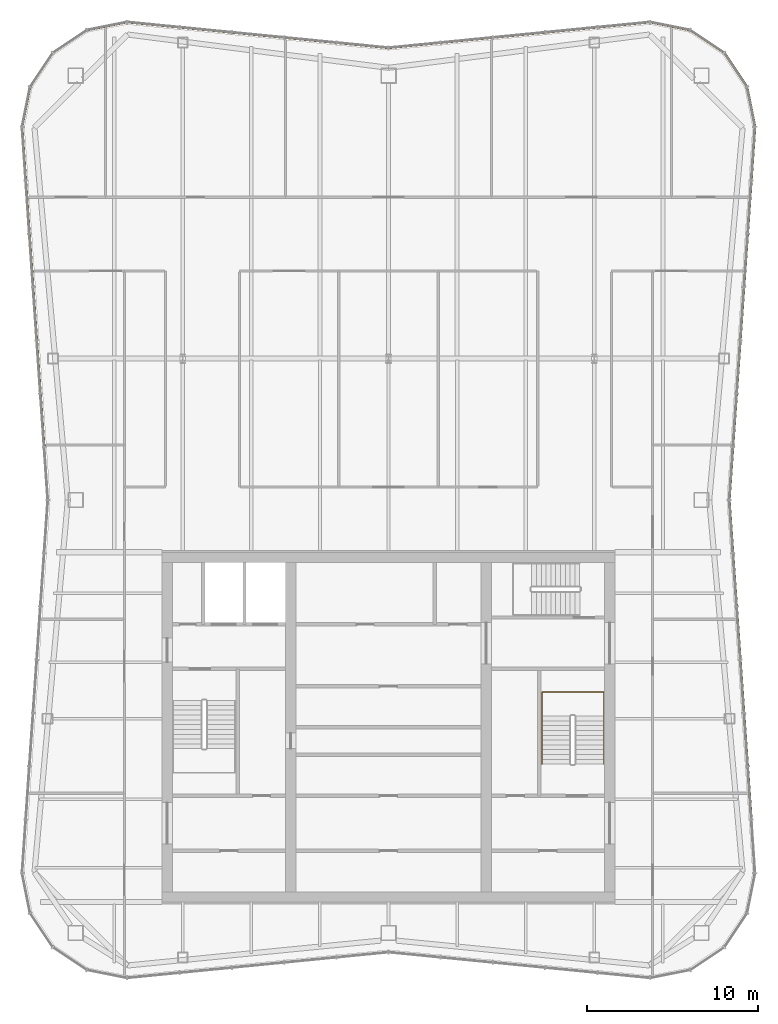
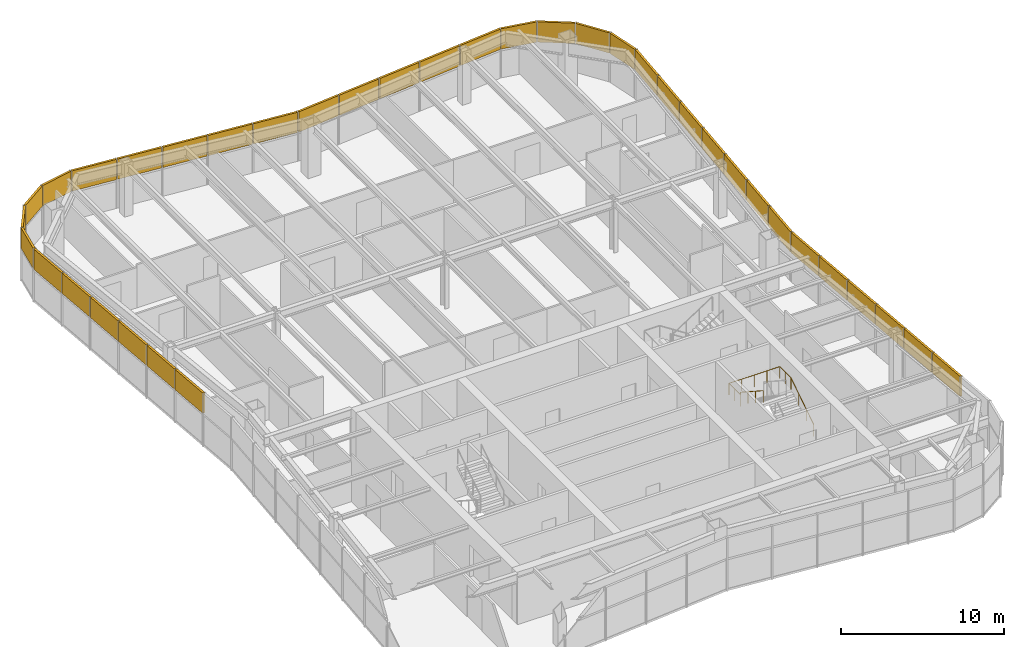
# One storey, part 13 of 13: 37 shading devices, 1 railing, 5 elements without a shape of their own.
"""IFC4 building model written with IfcOpenShell, lengths in metres."""

from ifc_helpers import new_model, si_unit, direction, frame, origin, origin_2d, place, context, subcontext, project, spatial, rectangle, circle, extrude, material, layer, layer_set, type_object, element, aggregate, save


model = new_model("IFC4")

# Units and contexts
model_context = context("Model", 3, precision=1e-05, world=origin(), true_north=direction((0.0, 1.0)))
body_context = subcontext(model_context, "Body", "Model", "MODEL_VIEW")
ifc_project = project(units=[si_unit("LENGTHUNIT", "METRE"), si_unit("AREAUNIT", "SQUARE_METRE"), si_unit("VOLUMEUNIT", "CUBIC_METRE"), si_unit("PLANEANGLEUNIT", "RADIAN"), si_unit("MASSUNIT", "GRAM", prefix="KILO")], contexts=[model_context])

# Site, building, storey
site_placement = place(None, origin())
site = spatial("IfcSite", under=ifc_project, at=site_placement, CompositionType="ELEMENT")
building_placement = place(site_placement, origin())
building = spatial("IfcBuilding", under=site, at=building_placement, Name="Verdant Reach Tower", CompositionType="ELEMENT")
storey_placement = place(building_placement, frame((0.0, 0.0, 364.0)))
storey = spatial("IfcBuildingStorey", under=building, at=storey_placement, Name="L82 Plant", CompositionType="ELEMENT", Elevation=364.0)

# Railing
ifc_material_1 = material(Name="Stainless steel", Category="steel")
railing_type = type_object("IfcRailingType", Name="CO-HANDRAIL", PredefinedType="HANDRAIL", material=ifc_material_1)
railing_placement = place(storey_placement, frame((12.550048828125, 25.85009765625, 0.181884765625)))
element("IfcRailing", 1, at=railing_placement, inside=storey, type_object=railing_type, Name="L82 Plant ST-2 stair handrail 1", PredefinedType="HANDRAIL", context=body_context, shape_type="SweptSolid", body=[
    extrude(circle(Radius=0.02392578125, at=origin_2d()), frame((0.0, 0.0, 0.8759765625), z_axis=(0.0, 0.83868413941, 0.544618136222), x_axis=(-1.0, 0.0, 0.0)), (0.0, 0.0, 1.0), 3.33837890625),
    extrude(circle(Radius=0.02392578125, at=origin_2d()), frame((0.0, 2.7998046875, 2.69384765625), z_axis=(0.0, 1.0, 0.0), x_axis=(-1.0, 0.0, 0.0)), (0.0, 0.0, 1.0), 1.400146484375),
    extrude(circle(Radius=0.02392578125, at=origin_2d()), frame((0.0, 4.199951171875, 2.69384765625), z_axis=(-1.0, 0.0, 0.0), x_axis=(0.0, -1.0, 0.0)), (0.0, 0.0, 1.0), 3.60009765625),
    extrude(circle(Radius=0.02392578125, at=origin_2d()), frame((-3.60009765625, 4.199951171875, 2.69384765625), z_axis=(0.0, -1.0, 0.0), x_axis=(1.0, 0.0, 0.0)), (0.0, 0.0, 1.0), 1.400146484375),
    extrude(circle(Radius=0.02392578125, at=origin_2d()), frame((-3.60009765625, 2.7998046875, 2.69384765625), z_axis=(0.0, 0.0, 1.0), x_axis=(1.0, 0.0, 0.0)), (0.0, 0.0, 1.0), 0.181884765625),
    extrude(circle(Radius=0.02392578125, at=origin_2d()), frame((-3.60009765625, 2.7998046875, 2.8759765625), z_axis=(0.0, -0.83868413941, 0.544618136222), x_axis=(1.0, 0.0, 0.0)), (0.0, 0.0, 1.0), 3.33837890625),
    extrude(circle(Radius=0.02099609375, at=origin_2d()), origin(), (0.0, 0.0, 1.0), 0.851806640625),
    extrude(circle(Radius=0.02099609375, at=origin_2d()), frame((0.0, 0.933349609375, 0.60595703125)), (0.0, 0.0, 1.0), 0.851806640625),
    extrude(circle(Radius=0.02099609375, at=origin_2d()), frame((0.0, 1.866455078125, 1.212158203125)), (0.0, 0.0, 1.0), 0.851806640625),
    extrude(circle(Radius=0.02099609375, at=origin_2d()), frame((0.0, 2.7998046875, 1.818115234375)), (0.0, 0.0, 1.0), 0.851806640625),
    extrude(circle(Radius=0.02099609375, at=origin_2d()), frame((0.0, 3.5, 1.818115234375)), (0.0, 0.0, 1.0), 0.851806640625),
    extrude(circle(Radius=0.02099609375, at=origin_2d()), frame((0.0, 4.199951171875, 1.818115234375)), (0.0, 0.0, 1.0), 0.851806640625),
    extrude(circle(Radius=0.02099609375, at=origin_2d()), frame((-0.89990234375, 4.199951171875, 1.818115234375)), (0.0, 0.0, 1.0), 0.851806640625),
    extrude(circle(Radius=0.02099609375, at=origin_2d()), frame((-1.800048828125, 4.199951171875, 1.818115234375)), (0.0, 0.0, 1.0), 0.851806640625),
    extrude(circle(Radius=0.02099609375, at=origin_2d()), frame((-2.7001953125, 4.199951171875, 1.818115234375)), (0.0, 0.0, 1.0), 0.851806640625),
    extrude(circle(Radius=0.02099609375, at=origin_2d()), frame((-3.60009765625, 4.199951171875, 1.818115234375)), (0.0, 0.0, 1.0), 0.851806640625),
    extrude(circle(Radius=0.02099609375, at=origin_2d()), frame((-3.60009765625, 3.5, 1.818115234375)), (0.0, 0.0, 1.0), 0.851806640625),
    extrude(circle(Radius=0.02099609375, at=origin_2d()), frame((-3.60009765625, 2.7998046875, 1.818115234375)), (0.0, 0.0, 1.0), 0.851806640625),
    extrude(circle(Radius=0.02099609375, at=origin_2d()), frame((-3.60009765625, 2.7998046875, 2.0)), (0.0, 0.0, 1.0), 0.851806640625),
    extrude(circle(Radius=0.02099609375, at=origin_2d()), frame((-3.60009765625, 1.866455078125, 2.60595703125)), (0.0, 0.0, 1.0), 0.851806640625),
    extrude(circle(Radius=0.02099609375, at=origin_2d()), frame((-3.60009765625, 0.933349609375, 3.212158203125)), (0.0, 0.0, 1.0), 0.851806640625),
    extrude(circle(Radius=0.02099609375, at=origin_2d()), frame((-3.60009765625, 0.0, 3.818115234375)), (0.0, 0.0, 1.0), 0.851806640625),
])

# Curtain wall, shading devices
ifc_material_2 = material(Name="Anodised aluminium", Category="aluminium")
curtain_wall_type = type_object("IfcCurtainWallType", Name="EN-CW SYSTEM PLANT", PredefinedType="NOTDEFINED", material=ifc_material_2)
curtain_wall_1_placement = place(storey_placement, origin())
curtain_wall_1 = element("IfcCurtainWall", 2, at=curtain_wall_1_placement, inside=storey, type_object=curtain_wall_type, Name="Curtain wall east, L82", PredefinedType="NOTDEFINED")
ifc_material_3 = material(Name="Bronze anodised aluminium louvre", Category="aluminium")
ifc_layer = layer(ifc_material_3, 0.14990234375)
ifc_layer_set = layer_set([ifc_layer], Name="EN-LOUVRE")
shading_device_type = type_object("IfcShadingDeviceType", Name="EN-LOUVRE", PredefinedType="USERDEFINED", material=ifc_layer_set)
shading_device_1_placement = place(storey_placement, frame((21.04736328125, 24.1689453125, 2.125), z_axis=(0.0, 0.0, 1.0), x_axis=(-0.068802091615, 0.997630328423, 0.0)))
shading_device_1 = element("IfcShadingDevice", 3, at=shading_device_1_placement, type_object=shading_device_type, Name="Louvre bank east face part 1 2, L82", ObjectType="LOUVRE", PredefinedType="USERDEFINED", context=body_context, shape_type="SweptSolid", body=[
    extrude(rectangle(XDim=3.03857421875, YDim=0.14990234375, at=origin_2d()), origin(), (0.0, 0.0, 1.0), 1.52490234375),
])
shading_device_2_placement = place(storey_placement, frame((20.8330078125, 27.276123046875, 2.125), z_axis=(0.0, 0.0, 1.0), x_axis=(-0.068802091615, 0.997630328423, 0.0)))
shading_device_2 = element("IfcShadingDevice", 4, at=shading_device_2_placement, type_object=shading_device_type, Name="Louvre bank east face part 1 3, L82", ObjectType="LOUVRE", PredefinedType="USERDEFINED", context=body_context, shape_type="SweptSolid", body=[
    extrude(rectangle(XDim=3.03857421875, YDim=0.14990234375, at=origin_2d()), origin(), (0.0, 0.0, 1.0), 1.52490234375),
])
shading_device_3_placement = place(storey_placement, frame((20.61865234375, 30.38330078125, 2.125), z_axis=(0.0, 0.0, 1.0), x_axis=(-0.068802091615, 0.997630328423, 0.0)))
shading_device_3 = element("IfcShadingDevice", 5, at=shading_device_3_placement, type_object=shading_device_type, Name="Louvre bank east face part 1 4, L82", ObjectType="LOUVRE", PredefinedType="USERDEFINED", context=body_context, shape_type="SweptSolid", body=[
    extrude(rectangle(XDim=3.03857421875, YDim=0.14990234375, at=origin_2d()), origin(), (0.0, 0.0, 1.0), 1.52490234375),
])
shading_device_4_placement = place(storey_placement, frame((20.404541015625, 33.490234375, 2.125), z_axis=(0.0, 0.0, 1.0), x_axis=(-0.068802091615, 0.997630328423, 0.0)))
shading_device_4 = element("IfcShadingDevice", 6, at=shading_device_4_placement, type_object=shading_device_type, Name="Louvre bank east face part 1 5, L82", ObjectType="LOUVRE", PredefinedType="USERDEFINED", context=body_context, shape_type="SweptSolid", body=[
    extrude(rectangle(XDim=3.03857421875, YDim=0.14990234375, at=origin_2d()), origin(), (0.0, 0.0, 1.0), 1.52490234375),
])
shading_device_5_placement = place(storey_placement, frame((20.190185546875, 36.597412109375, 2.125), z_axis=(0.0, 0.0, 1.0), x_axis=(-0.068802091615, 0.997630328423, 0.0)))
shading_device_5 = element("IfcShadingDevice", 7, at=shading_device_5_placement, type_object=shading_device_type, Name="Louvre bank east face part 1 6, L82", ObjectType="LOUVRE", PredefinedType="USERDEFINED", context=body_context, shape_type="SweptSolid", body=[
    extrude(rectangle(XDim=3.03857421875, YDim=0.14990234375, at=origin_2d()), origin(), (0.0, 0.0, 1.0), 1.52490234375),
])
shading_device_6_placement = place(storey_placement, frame((19.97607421875, 39.700439453125, 2.125), z_axis=(0.0, 0.0, 1.0), x_axis=(-0.068892655483, 0.997624078509, 0.0)))
shading_device_6 = element("IfcShadingDevice", 8, at=shading_device_6_placement, type_object=shading_device_type, Name="Louvre bank east face part 1 7, L82", ObjectType="LOUVRE", PredefinedType="USERDEFINED", context=body_context, shape_type="SweptSolid", body=[
    extrude(rectangle(XDim=3.0302734375, YDim=0.14990234375, at=origin_2d()), origin(), (0.0, 0.0, 1.0), 1.52490234375),
])
shading_device_7_placement = place(storey_placement, frame((19.97607421875, 42.799560546875, 2.125), z_axis=(0.0, 0.0, 1.0), x_axis=(0.068892655483, 0.997624078509, 0.0)))
shading_device_7 = element("IfcShadingDevice", 9, at=shading_device_7_placement, type_object=shading_device_type, Name="Louvre bank east face part 2 1, L82", ObjectType="LOUVRE", PredefinedType="USERDEFINED", context=body_context, shape_type="SweptSolid", body=[
    extrude(rectangle(XDim=3.0302734375, YDim=0.14990234375, at=origin_2d()), origin(), (0.0, 0.0, 1.0), 1.52490234375),
])
shading_device_8_placement = place(storey_placement, frame((20.190185546875, 45.902587890625, 2.125), z_axis=(0.0, 0.0, 1.0), x_axis=(0.068802091615, 0.997630328423, 0.0)))
shading_device_8 = element("IfcShadingDevice", 10, at=shading_device_8_placement, type_object=shading_device_type, Name="Louvre bank east face part 2 2, L82", ObjectType="LOUVRE", PredefinedType="USERDEFINED", context=body_context, shape_type="SweptSolid", body=[
    extrude(rectangle(XDim=3.03857421875, YDim=0.14990234375, at=origin_2d()), origin(), (0.0, 0.0, 1.0), 1.52490234375),
])
shading_device_9_placement = place(storey_placement, frame((20.404541015625, 49.009765625, 2.125), z_axis=(0.0, 0.0, 1.0), x_axis=(0.068802091615, 0.997630328423, 0.0)))
shading_device_9 = element("IfcShadingDevice", 11, at=shading_device_9_placement, type_object=shading_device_type, Name="Louvre bank east face part 2 3, L82", ObjectType="LOUVRE", PredefinedType="USERDEFINED", context=body_context, shape_type="SweptSolid", body=[
    extrude(rectangle(XDim=3.03857421875, YDim=0.14990234375, at=origin_2d()), origin(), (0.0, 0.0, 1.0), 1.52490234375),
])
shading_device_10_placement = place(storey_placement, frame((20.61865234375, 52.11669921875, 2.125), z_axis=(0.0, 0.0, 1.0), x_axis=(0.068802091615, 0.997630328423, 0.0)))
shading_device_10 = element("IfcShadingDevice", 12, at=shading_device_10_placement, type_object=shading_device_type, Name="Louvre bank east face part 2 4, L82", ObjectType="LOUVRE", PredefinedType="USERDEFINED", context=body_context, shape_type="SweptSolid", body=[
    extrude(rectangle(XDim=3.03857421875, YDim=0.14990234375, at=origin_2d()), origin(), (0.0, 0.0, 1.0), 1.52490234375),
])
shading_device_11_placement = place(storey_placement, frame((20.8330078125, 55.223876953125, 2.125), z_axis=(0.0, 0.0, 1.0), x_axis=(0.068802091615, 0.997630328423, 0.0)))
shading_device_11 = element("IfcShadingDevice", 13, at=shading_device_11_placement, type_object=shading_device_type, Name="Louvre bank east face part 2 5, L82", ObjectType="LOUVRE", PredefinedType="USERDEFINED", context=body_context, shape_type="SweptSolid", body=[
    extrude(rectangle(XDim=3.03857421875, YDim=0.14990234375, at=origin_2d()), origin(), (0.0, 0.0, 1.0), 1.52490234375),
])
shading_device_12_placement = place(storey_placement, frame((21.04736328125, 58.3310546875, 2.125), z_axis=(0.0, 0.0, 1.0), x_axis=(0.068802091615, 0.997630328423, 0.0)))
shading_device_12 = element("IfcShadingDevice", 14, at=shading_device_12_placement, type_object=shading_device_type, Name="Louvre bank east face part 2 6, L82", ObjectType="LOUVRE", PredefinedType="USERDEFINED", context=body_context, shape_type="SweptSolid", body=[
    extrude(rectangle(XDim=3.03857421875, YDim=0.14990234375, at=origin_2d()), origin(), (0.0, 0.0, 1.0), 1.52490234375),
])
shading_device_13_placement = place(storey_placement, frame((21.261474609375, 61.446044921875, 2.125), z_axis=(0.0, 0.0, 1.0), x_axis=(0.068469163133, 0.997653233193, 0.0)))
shading_device_13 = element("IfcShadingDevice", 15, at=shading_device_13_placement, type_object=shading_device_type, Name="Louvre bank east face part 2 7, L82", ObjectType="LOUVRE", PredefinedType="USERDEFINED", context=body_context, shape_type="SweptSolid", body=[
    extrude(rectangle(XDim=3.05419921875, YDim=0.14990234375, at=origin_2d()), origin(), (0.0, 0.0, 1.0), 1.52490234375),
])
aggregate(curtain_wall_1, [shading_device_1, shading_device_2, shading_device_3, shading_device_4, shading_device_5, shading_device_6, shading_device_7, shading_device_8, shading_device_9, shading_device_10, shading_device_11, shading_device_12, shading_device_13])

curtain_wall_2_placement = place(storey_placement, origin())
curtain_wall_2 = element("IfcCurtainWall", 16, at=curtain_wall_2_placement, inside=storey, type_object=curtain_wall_type, Name="Curtain wall north-east corner, L82", PredefinedType="NOTDEFINED")
shading_device_14_placement = place(storey_placement, frame((21.135986328125, 64.174560546875, 2.125), z_axis=(0.0, 0.0, 1.0), x_axis=(-0.195592962334, 0.980685165119, 0.0)))
shading_device_14 = element("IfcShadingDevice", 17, at=shading_device_14_placement, type_object=shading_device_type, Name="Louvre bank north-east corner 1, L82", ObjectType="LOUVRE", PredefinedType="USERDEFINED", context=body_context, shape_type="SweptSolid", body=[
    extrude(rectangle(XDim=2.303955078125, YDim=0.14990234375, at=origin_2d()), origin(), (0.0, 0.0, 1.0), 1.52490234375),
])
shading_device_15_placement = place(storey_placement, frame((20.239990234375, 66.334228515625, 2.125), z_axis=(0.0, 0.0, 1.0), x_axis=(-0.555596466265, 0.83145208321, 0.0)))
shading_device_15 = element("IfcShadingDevice", 18, at=shading_device_15_placement, type_object=shading_device_type, Name="Louvre bank north-east corner 2, L82", ObjectType="LOUVRE", PredefinedType="USERDEFINED", context=body_context, shape_type="SweptSolid", body=[
    extrude(rectangle(XDim=2.3115234375, YDim=0.14990234375, at=origin_2d()), origin(), (0.0, 0.0, 1.0), 1.52490234375),
])
shading_device_16_placement = place(storey_placement, frame((18.584228515625, 67.989990234375, 2.125), z_axis=(0.0, 0.0, 1.0), x_axis=(-0.83145208321, 0.555596466265, 0.0)))
shading_device_16 = element("IfcShadingDevice", 19, at=shading_device_16_placement, type_object=shading_device_type, Name="Louvre bank north-east corner 3, L82", ObjectType="LOUVRE", PredefinedType="USERDEFINED", context=body_context, shape_type="SweptSolid", body=[
    extrude(rectangle(XDim=2.3115234375, YDim=0.14990234375, at=origin_2d()), origin(), (0.0, 0.0, 1.0), 1.52490234375),
])
shading_device_17_placement = place(storey_placement, frame((16.423828125, 68.885986328125, 2.125), z_axis=(0.0, 0.0, 1.0), x_axis=(-0.980705120874, 0.195492879387, 0.0)))
shading_device_17 = element("IfcShadingDevice", 20, at=shading_device_17_placement, type_object=shading_device_type, Name="Louvre bank north-east corner 4, L82", ObjectType="LOUVRE", PredefinedType="USERDEFINED", context=body_context, shape_type="SweptSolid", body=[
    extrude(rectangle(XDim=2.3056640625, YDim=0.14990234375, at=origin_2d()), origin(), (0.0, 0.0, 1.0), 1.52490234375),
])
aggregate(curtain_wall_2, [shading_device_14, shading_device_15, shading_device_16, shading_device_17])

curtain_wall_3_placement = place(storey_placement, origin())
curtain_wall_3 = element("IfcCurtainWall", 21, at=curtain_wall_3_placement, inside=storey, type_object=curtain_wall_type, Name="Curtain wall north, L82", PredefinedType="NOTDEFINED")
shading_device_18_placement = place(storey_placement, frame((13.72216796875, 68.96875, 2.125), z_axis=(0.0, 0.0, 1.0), x_axis=(-0.995238191716, -0.097472774402, 0.0)))
shading_device_18 = element("IfcShadingDevice", 22, at=shading_device_18_placement, type_object=shading_device_type, Name="Louvre bank north face part 1 1, L82", ObjectType="LOUVRE", PredefinedType="USERDEFINED", context=body_context, shape_type="SweptSolid", body=[
    extrude(rectangle(XDim=3.006103515625, YDim=0.14990234375, at=origin_2d()), origin(), (0.0, 0.0, 1.0), 1.52490234375),
])
shading_device_19_placement = place(storey_placement, frame((10.663330078125, 68.66845703125, 2.125), z_axis=(0.0, 0.0, 1.0), x_axis=(-0.995197410875, -0.09788826992, 0.0)))
shading_device_19 = element("IfcShadingDevice", 23, at=shading_device_19_placement, type_object=shading_device_type, Name="Louvre bank north face part 1 2, L82", ObjectType="LOUVRE", PredefinedType="USERDEFINED", context=body_context, shape_type="SweptSolid", body=[
    extrude(rectangle(XDim=2.98876953125, YDim=0.14990234375, at=origin_2d()), origin(), (0.0, 0.0, 1.0), 1.52490234375),
])
shading_device_20_placement = place(storey_placement, frame((7.61328125, 68.368408203125, 2.125), z_axis=(0.0, 0.0, 1.0), x_axis=(-0.995197410875, -0.09788826992, 0.0)))
shading_device_20 = element("IfcShadingDevice", 24, at=shading_device_20_placement, type_object=shading_device_type, Name="Louvre bank north face part 1 3, L82", ObjectType="LOUVRE", PredefinedType="USERDEFINED", context=body_context, shape_type="SweptSolid", body=[
    extrude(rectangle(XDim=2.98876953125, YDim=0.14990234375, at=origin_2d()), origin(), (0.0, 0.0, 1.0), 1.52490234375),
])
shading_device_21_placement = place(storey_placement, frame((4.563232421875, 68.068359375, 2.125), z_axis=(0.0, 0.0, 1.0), x_axis=(-0.995197410875, -0.09788826992, 0.0)))
shading_device_21 = element("IfcShadingDevice", 25, at=shading_device_21_placement, type_object=shading_device_type, Name="Louvre bank north face part 1 4, L82", ObjectType="LOUVRE", PredefinedType="USERDEFINED", context=body_context, shape_type="SweptSolid", body=[
    extrude(rectangle(XDim=2.98876953125, YDim=0.14990234375, at=origin_2d()), origin(), (0.0, 0.0, 1.0), 1.52490234375),
])
shading_device_22_placement = place(storey_placement, frame((1.519287109375, 67.768798828125, 2.125), z_axis=(0.0, 0.0, 1.0), x_axis=(-0.995179069607, -0.098074560493, 0.0)))
shading_device_22 = element("IfcShadingDevice", 26, at=shading_device_22_placement, type_object=shading_device_type, Name="Louvre bank north face part 1 5, L82", ObjectType="LOUVRE", PredefinedType="USERDEFINED", context=body_context, shape_type="SweptSolid", body=[
    extrude(rectangle(XDim=2.97705078125, YDim=0.14990234375, at=origin_2d()), origin(), (0.0, 0.0, 1.0), 1.52490234375),
])
shading_device_23_placement = place(storey_placement, frame((-1.519287109375, 67.768798828125, 2.125), z_axis=(0.0, 0.0, 1.0), x_axis=(-0.995179069607, 0.098074560493, 0.0)))
shading_device_23 = element("IfcShadingDevice", 27, at=shading_device_23_placement, type_object=shading_device_type, Name="Louvre bank north face part 2 1, L82", ObjectType="LOUVRE", PredefinedType="USERDEFINED", context=body_context, shape_type="SweptSolid", body=[
    extrude(rectangle(XDim=2.97705078125, YDim=0.14990234375, at=origin_2d()), origin(), (0.0, 0.0, 1.0), 1.52490234375),
])
shading_device_24_placement = place(storey_placement, frame((-4.563232421875, 68.068359375, 2.125), z_axis=(0.0, 0.0, 1.0), x_axis=(-0.995197410875, 0.09788826992, 0.0)))
shading_device_24 = element("IfcShadingDevice", 28, at=shading_device_24_placement, type_object=shading_device_type, Name="Louvre bank north face part 2 2, L82", ObjectType="LOUVRE", PredefinedType="USERDEFINED", context=body_context, shape_type="SweptSolid", body=[
    extrude(rectangle(XDim=2.98876953125, YDim=0.14990234375, at=origin_2d()), origin(), (0.0, 0.0, 1.0), 1.52490234375),
])
shading_device_25_placement = place(storey_placement, frame((-7.61328125, 68.368408203125, 2.125), z_axis=(0.0, 0.0, 1.0), x_axis=(-0.995197410875, 0.09788826992, 0.0)))
shading_device_25 = element("IfcShadingDevice", 29, at=shading_device_25_placement, type_object=shading_device_type, Name="Louvre bank north face part 2 3, L82", ObjectType="LOUVRE", PredefinedType="USERDEFINED", context=body_context, shape_type="SweptSolid", body=[
    extrude(rectangle(XDim=2.98876953125, YDim=0.14990234375, at=origin_2d()), origin(), (0.0, 0.0, 1.0), 1.52490234375),
])
shading_device_26_placement = place(storey_placement, frame((-10.663330078125, 68.66845703125, 2.125), z_axis=(0.0, 0.0, 1.0), x_axis=(-0.995197410875, 0.09788826992, 0.0)))
shading_device_26 = element("IfcShadingDevice", 30, at=shading_device_26_placement, type_object=shading_device_type, Name="Louvre bank north face part 2 4, L82", ObjectType="LOUVRE", PredefinedType="USERDEFINED", context=body_context, shape_type="SweptSolid", body=[
    extrude(rectangle(XDim=2.98876953125, YDim=0.14990234375, at=origin_2d()), origin(), (0.0, 0.0, 1.0), 1.52490234375),
])
shading_device_27_placement = place(storey_placement, frame((-13.72216796875, 68.96875, 2.125), z_axis=(0.0, 0.0, 1.0), x_axis=(-0.995238191716, 0.097472774402, 0.0)))
shading_device_27 = element("IfcShadingDevice", 31, at=shading_device_27_placement, type_object=shading_device_type, Name="Louvre bank north face part 2 5, L82", ObjectType="LOUVRE", PredefinedType="USERDEFINED", context=body_context, shape_type="SweptSolid", body=[
    extrude(rectangle(XDim=3.006103515625, YDim=0.14990234375, at=origin_2d()), origin(), (0.0, 0.0, 1.0), 1.52490234375),
])
aggregate(curtain_wall_3, [shading_device_18, shading_device_19, shading_device_20, shading_device_21, shading_device_22, shading_device_23, shading_device_24, shading_device_25, shading_device_26, shading_device_27])

curtain_wall_4_placement = place(storey_placement, origin())
curtain_wall_4 = element("IfcCurtainWall", 32, at=curtain_wall_4_placement, inside=storey, type_object=curtain_wall_type, Name="Curtain wall north-west corner, L82", PredefinedType="NOTDEFINED")
shading_device_28_placement = place(storey_placement, frame((-16.423828125, 68.885986328125, 2.125), z_axis=(0.0, 0.0, 1.0), x_axis=(-0.980705120874, -0.195492879387, 0.0)))
shading_device_28 = element("IfcShadingDevice", 33, at=shading_device_28_placement, type_object=shading_device_type, Name="Louvre bank north-west corner 1, L82", ObjectType="LOUVRE", PredefinedType="USERDEFINED", context=body_context, shape_type="SweptSolid", body=[
    extrude(rectangle(XDim=2.3056640625, YDim=0.14990234375, at=origin_2d()), origin(), (0.0, 0.0, 1.0), 1.52490234375),
])
shading_device_29_placement = place(storey_placement, frame((-18.584228515625, 67.989990234375, 2.125), z_axis=(0.0, 0.0, 1.0), x_axis=(-0.83145208321, -0.555596466265, 0.0)))
shading_device_29 = element("IfcShadingDevice", 34, at=shading_device_29_placement, type_object=shading_device_type, Name="Louvre bank north-west corner 2, L82", ObjectType="LOUVRE", PredefinedType="USERDEFINED", context=body_context, shape_type="SweptSolid", body=[
    extrude(rectangle(XDim=2.3115234375, YDim=0.14990234375, at=origin_2d()), origin(), (0.0, 0.0, 1.0), 1.52490234375),
])
shading_device_30_placement = place(storey_placement, frame((-20.239990234375, 66.334228515625, 2.125), z_axis=(0.0, 0.0, 1.0), x_axis=(-0.555596466265, -0.83145208321, 0.0)))
shading_device_30 = element("IfcShadingDevice", 35, at=shading_device_30_placement, type_object=shading_device_type, Name="Louvre bank north-west corner 3, L82", ObjectType="LOUVRE", PredefinedType="USERDEFINED", context=body_context, shape_type="SweptSolid", body=[
    extrude(rectangle(XDim=2.3115234375, YDim=0.14990234375, at=origin_2d()), origin(), (0.0, 0.0, 1.0), 1.52490234375),
])
shading_device_31_placement = place(storey_placement, frame((-21.135986328125, 64.174560546875, 2.125), z_axis=(0.0, 0.0, 1.0), x_axis=(-0.195592962334, -0.980685165119, 0.0)))
shading_device_31 = element("IfcShadingDevice", 36, at=shading_device_31_placement, type_object=shading_device_type, Name="Louvre bank north-west corner 4, L82", ObjectType="LOUVRE", PredefinedType="USERDEFINED", context=body_context, shape_type="SweptSolid", body=[
    extrude(rectangle(XDim=2.303955078125, YDim=0.14990234375, at=origin_2d()), origin(), (0.0, 0.0, 1.0), 1.52490234375),
])
aggregate(curtain_wall_4, [shading_device_28, shading_device_29, shading_device_30, shading_device_31])

curtain_wall_5_placement = place(storey_placement, origin())
curtain_wall_5 = element("IfcCurtainWall", 37, at=curtain_wall_5_placement, inside=storey, type_object=curtain_wall_type, Name="Curtain wall west, L82", PredefinedType="NOTDEFINED")
shading_device_32_placement = place(storey_placement, frame((-21.261474609375, 61.446044921875, 2.125), z_axis=(0.0, 0.0, 1.0), x_axis=(0.068469163133, -0.997653233193, 0.0)))
shading_device_32 = element("IfcShadingDevice", 38, at=shading_device_32_placement, type_object=shading_device_type, Name="Louvre bank west face part 1 1, L82", ObjectType="LOUVRE", PredefinedType="USERDEFINED", context=body_context, shape_type="SweptSolid", body=[
    extrude(rectangle(XDim=3.05419921875, YDim=0.14990234375, at=origin_2d()), origin(), (0.0, 0.0, 1.0), 1.52490234375),
])
shading_device_33_placement = place(storey_placement, frame((-21.04736328125, 58.3310546875, 2.125), z_axis=(0.0, 0.0, 1.0), x_axis=(0.068802091615, -0.997630328423, 0.0)))
shading_device_33 = element("IfcShadingDevice", 39, at=shading_device_33_placement, type_object=shading_device_type, Name="Louvre bank west face part 1 2, L82", ObjectType="LOUVRE", PredefinedType="USERDEFINED", context=body_context, shape_type="SweptSolid", body=[
    extrude(rectangle(XDim=3.03857421875, YDim=0.14990234375, at=origin_2d()), origin(), (0.0, 0.0, 1.0), 1.52490234375),
])
shading_device_34_placement = place(storey_placement, frame((-20.8330078125, 55.223876953125, 2.125), z_axis=(0.0, 0.0, 1.0), x_axis=(0.068802091615, -0.997630328423, 0.0)))
shading_device_34 = element("IfcShadingDevice", 40, at=shading_device_34_placement, type_object=shading_device_type, Name="Louvre bank west face part 1 3, L82", ObjectType="LOUVRE", PredefinedType="USERDEFINED", context=body_context, shape_type="SweptSolid", body=[
    extrude(rectangle(XDim=3.03857421875, YDim=0.14990234375, at=origin_2d()), origin(), (0.0, 0.0, 1.0), 1.52490234375),
])
shading_device_35_placement = place(storey_placement, frame((-20.61865234375, 52.11669921875, 2.125), z_axis=(0.0, 0.0, 1.0), x_axis=(0.068802091615, -0.997630328423, 0.0)))
shading_device_35 = element("IfcShadingDevice", 41, at=shading_device_35_placement, type_object=shading_device_type, Name="Louvre bank west face part 1 4, L82", ObjectType="LOUVRE", PredefinedType="USERDEFINED", context=body_context, shape_type="SweptSolid", body=[
    extrude(rectangle(XDim=3.03857421875, YDim=0.14990234375, at=origin_2d()), origin(), (0.0, 0.0, 1.0), 1.52490234375),
])
shading_device_36_placement = place(storey_placement, frame((-20.404541015625, 49.009765625, 2.125), z_axis=(0.0, 0.0, 1.0), x_axis=(0.068802091615, -0.997630328423, 0.0)))
shading_device_36 = element("IfcShadingDevice", 42, at=shading_device_36_placement, type_object=shading_device_type, Name="Louvre bank west face part 1 5, L82", ObjectType="LOUVRE", PredefinedType="USERDEFINED", context=body_context, shape_type="SweptSolid", body=[
    extrude(rectangle(XDim=3.03857421875, YDim=0.14990234375, at=origin_2d()), origin(), (0.0, 0.0, 1.0), 1.52490234375),
])
shading_device_37_placement = place(storey_placement, frame((-20.190185546875, 45.902587890625, 2.125), z_axis=(0.0, 0.0, 1.0), x_axis=(0.068802091615, -0.997630328423, 0.0)))
shading_device_37 = element("IfcShadingDevice", 43, at=shading_device_37_placement, type_object=shading_device_type, Name="Louvre bank west face part 1 6, L82", ObjectType="LOUVRE", PredefinedType="USERDEFINED", context=body_context, shape_type="SweptSolid", body=[
    extrude(rectangle(XDim=3.03857421875, YDim=0.14990234375, at=origin_2d()), origin(), (0.0, 0.0, 1.0), 1.52490234375),
])
aggregate(curtain_wall_5, [shading_device_32, shading_device_33, shading_device_34, shading_device_35, shading_device_36, shading_device_37])

save(model, "model.ifc")
